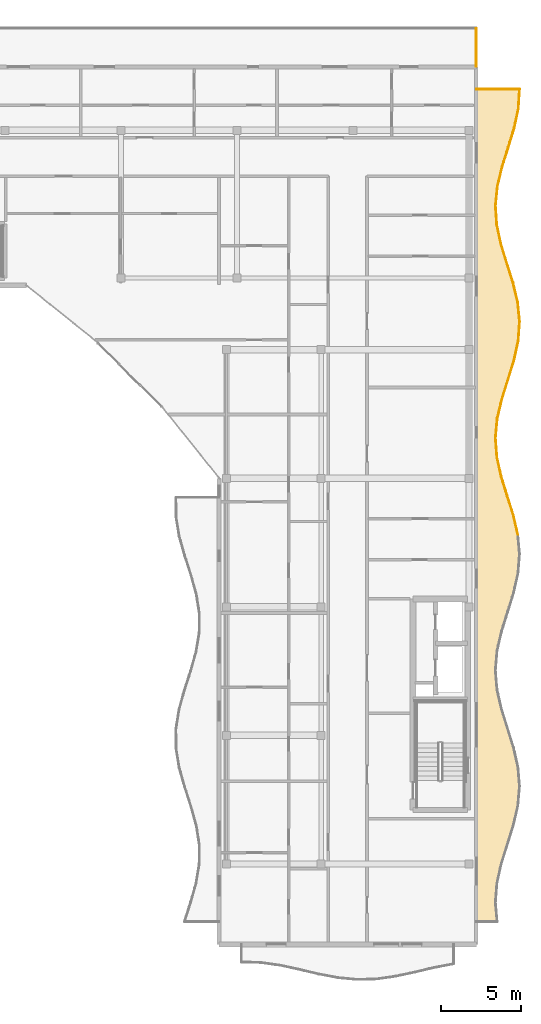
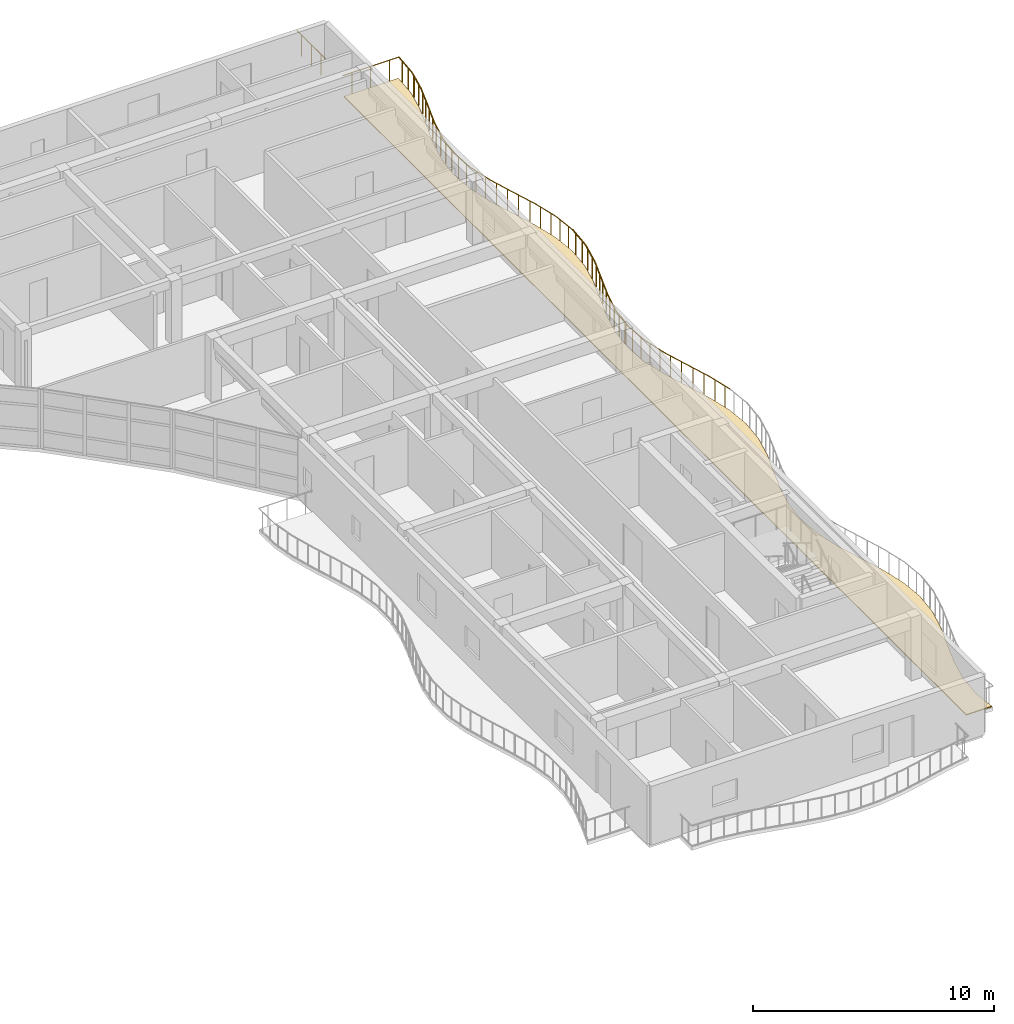
# One storey, part 39 of 39: 25 railings, 1 covering.
"""IFC4 building model written with IfcOpenShell, lengths in metres."""

from ifc_helpers import new_model, si_unit, direction, frame, origin, origin_2d, place, context, subcontext, project, spatial, polyline, circle, outline, extrude, material, layer, layer_set, type_object, element, save


model = new_model("IFC4")

# Units and contexts
model_context = context("Model", 3, precision=1e-05, world=origin(), true_north=direction((0.0, 1.0)))
body_context = subcontext(model_context, "Body", "Model", "MODEL_VIEW")
ifc_project = project(units=[si_unit("LENGTHUNIT", "METRE"), si_unit("AREAUNIT", "SQUARE_METRE"), si_unit("VOLUMEUNIT", "CUBIC_METRE"), si_unit("PLANEANGLEUNIT", "RADIAN"), si_unit("MASSUNIT", "GRAM", prefix="KILO")], contexts=[model_context])

# Site, building, storey
site_placement = place(None, origin())
site = spatial("IfcSite", under=ifc_project, at=site_placement, CompositionType="ELEMENT")
building_placement = place(site_placement, origin())
building = spatial("IfcBuilding", under=site, at=building_placement, Name="Keldmere Railside Commons", CompositionType="ELEMENT")
storey_placement = place(building_placement, frame((0.0, 0.0, 32.9599609375)))
storey = spatial("IfcBuildingStorey", under=building, at=storey_placement, Name="L10", CompositionType="ELEMENT", Elevation=32.9599609375)

# Railings
ifc_material_1 = material(Name="Steel F-24 (S235)", Category="steel")
railing_type = type_object("IfcRailingType", Name="Balcony & Terrace Steel Balustrade 1100", PredefinedType="BALUSTRADE", material=ifc_material_1)
railing_1_placement = place(storey_placement, frame((186.59228515625, 84.492919921875, 0.0)))
element("IfcRailing", 1, at=railing_1_placement, inside=storey, type_object=railing_type, Name="GR-1 GRD-L10-4383", PredefinedType="BALUSTRADE", context=body_context, shape_type="SweptSolid", body=[
    extrude(circle(Radius=0.02392578125, at=origin_2d()), frame((0.0, 0.0, 1.076171875), z_axis=(-0.226948870402, 0.973906674288, 0.0), x_axis=(-0.973906674288, -0.226948870402, 0.0)), (0.0, 0.0, 1.0), 1.237060546875),
    extrude(circle(Radius=0.02099609375, at=origin_2d()), frame((-0.0703125, 0.30126953125, 0.0)), (0.0, 0.0, 1.0), 1.048095703125),
    extrude(circle(Radius=0.02099609375, at=origin_2d()), frame((-0.21044921875, 0.903564453125, 0.0)), (0.0, 0.0, 1.0), 1.048095703125),
])
railing_2_placement = place(storey_placement, frame((186.3115234375, 85.69775390625, 0.0)))
element("IfcRailing", 2, at=railing_2_placement, inside=storey, type_object=railing_type, Name="GR-1 GRD-L10-4384", PredefinedType="BALUSTRADE", context=body_context, shape_type="SweptSolid", body=[
    extrude(circle(Radius=0.02392578125, at=origin_2d()), frame((0.0, 0.0, 1.076171875), z_axis=(-0.299705924747, 0.954031634, 0.0), x_axis=(-0.954031634, -0.299705924747, 0.0)), (0.0, 0.0, 1.0), 1.2626953125),
    extrude(circle(Radius=0.02099609375, at=origin_2d()), frame((-0.0947265625, 0.30126953125, 0.0)), (0.0, 0.0, 1.0), 1.048095703125),
    extrude(circle(Radius=0.02099609375, at=origin_2d()), frame((-0.28369140625, 0.9033203125, 0.0)), (0.0, 0.0, 1.0), 1.048095703125),
])
railing_3_placement = place(storey_placement, frame((185.93310546875, 86.90234375, 0.0)))
element("IfcRailing", 3, at=railing_3_placement, inside=storey, type_object=railing_type, Name="GR-1 GRD-L10-4385", PredefinedType="BALUSTRADE", context=body_context, shape_type="SweptSolid", body=[
    extrude(circle(Radius=0.02392578125, at=origin_2d()), frame((0.0, 0.0, 1.076171875), z_axis=(-0.296533150092, 0.955022560412, 0.0), x_axis=(-0.955022560412, -0.296533150092, 0.0)), (0.0, 0.0, 1.0), 1.26123046875),
    extrude(circle(Radius=0.02099609375, at=origin_2d()), frame((-0.093505859375, 0.30126953125, 0.0)), (0.0, 0.0, 1.0), 1.048095703125),
    extrude(circle(Radius=0.02099609375, at=origin_2d()), frame((-0.280517578125, 0.9033203125, 0.0)), (0.0, 0.0, 1.0), 1.048095703125),
])
railing_4_placement = place(storey_placement, frame((185.55908203125, 88.10693359375, 0.0)))
element("IfcRailing", 4, at=railing_4_placement, inside=storey, type_object=railing_type, Name="GR-1 GRD-L10-4386", PredefinedType="BALUSTRADE", context=body_context, shape_type="SweptSolid", body=[
    extrude(circle(Radius=0.02392578125, at=origin_2d()), frame((0.0, 0.0, 1.076171875), z_axis=(-0.217412199053, 0.976079881825, 0.0), x_axis=(-0.976079881825, -0.217412199053, 0.0)), (0.0, 0.0, 1.0), 1.234130859375),
    extrude(circle(Radius=0.02099609375, at=origin_2d()), frame((-0.067138671875, 0.30126953125, 0.0)), (0.0, 0.0, 1.0), 1.048095703125),
    extrude(circle(Radius=0.02099609375, at=origin_2d()), frame((-0.201171875, 0.9033203125, 0.0)), (0.0, 0.0, 1.0), 1.048095703125),
])
railing_5_placement = place(storey_placement, frame((185.290771484375, 89.3115234375, 0.0)))
element("IfcRailing", 5, at=railing_5_placement, inside=storey, type_object=railing_type, Name="GR-1 GRD-L10-4387", PredefinedType="BALUSTRADE", context=body_context, shape_type="SweptSolid", body=[
    extrude(circle(Radius=0.02392578125, at=origin_2d()), frame((0.0, 0.0, 1.076171875), z_axis=(-0.074965764156, 0.997186108108, 0.0), x_axis=(-0.997186108108, -0.074965764156, 0.0)), (0.0, 0.0, 1.0), 1.208251953125),
    extrude(circle(Radius=0.02099609375, at=origin_2d()), frame((-0.022705078125, 0.30126953125, 0.0)), (0.0, 0.0, 1.0), 1.048095703125),
    extrude(circle(Radius=0.02099609375, at=origin_2d()), frame((-0.06787109375, 0.903564453125, 0.0)), (0.0, 0.0, 1.0), 1.048095703125),
])
railing_6_placement = place(storey_placement, frame((185.2001953125, 90.516357421875, 0.0)))
element("IfcRailing", 6, at=railing_6_placement, inside=storey, type_object=railing_type, Name="GR-1 GRD-L10-4388", PredefinedType="BALUSTRADE", context=body_context, shape_type="SweptSolid", body=[
    extrude(circle(Radius=0.02392578125, at=origin_2d()), frame((0.0, 0.0, 1.076171875), z_axis=(0.092628021781, 0.995700783158, 0.0), x_axis=(-0.995700783158, 0.092628021781, 0.0)), (0.0, 0.0, 1.0), 1.209716796875),
    extrude(circle(Radius=0.02099609375, at=origin_2d()), frame((0.028076171875, 0.30126953125, 0.0)), (0.0, 0.0, 1.0), 1.048095703125),
    extrude(circle(Radius=0.02099609375, at=origin_2d()), frame((0.083984375, 0.9033203125, 0.0)), (0.0, 0.0, 1.0), 1.048095703125),
])
railing_7_placement = place(storey_placement, frame((185.312255859375, 91.720947265625, 0.0)))
element("IfcRailing", 7, at=railing_7_placement, inside=storey, type_object=railing_type, Name="GR-1 GRD-L10-4389", PredefinedType="BALUSTRADE", context=body_context, shape_type="SweptSolid", body=[
    extrude(circle(Radius=0.02392578125, at=origin_2d()), frame((0.0, 0.0, 1.076171875), z_axis=(0.229611025803, 0.973282475353, 0.0), x_axis=(-0.973282475353, 0.229611025803, 0.0)), (0.0, 0.0, 1.0), 1.237548828125),
    extrude(circle(Radius=0.02099609375, at=origin_2d()), frame((0.071044921875, 0.30126953125, 0.0)), (0.0, 0.0, 1.0), 1.048095703125),
    extrude(circle(Radius=0.02099609375, at=origin_2d()), frame((0.213134765625, 0.9033203125, 0.0)), (0.0, 0.0, 1.0), 1.048095703125),
])
railing_8_placement = place(storey_placement, frame((185.596435546875, 92.925537109375, 0.0)))
element("IfcRailing", 8, at=railing_8_placement, inside=storey, type_object=railing_type, Name="GR-1 GRD-L10-4390", PredefinedType="BALUSTRADE", context=body_context, shape_type="SweptSolid", body=[
    extrude(circle(Radius=0.02392578125, at=origin_2d()), frame((0.0, 0.0, 1.076171875), z_axis=(0.300585494477, 0.953754874436, 0.0), x_axis=(-0.953754874436, 0.300585494477, 0.0)), (0.0, 0.0, 1.0), 1.262939453125),
    extrude(circle(Radius=0.02099609375, at=origin_2d()), frame((0.094970703125, 0.30126953125, 0.0)), (0.0, 0.0, 1.0), 1.048095703125),
    extrude(circle(Radius=0.02099609375, at=origin_2d()), frame((0.28466796875, 0.9033203125, 0.0)), (0.0, 0.0, 1.0), 1.048095703125),
])
railing_9_placement = place(storey_placement, frame((185.97607421875, 94.130126953125, 0.0)))
element("IfcRailing", 9, at=railing_9_placement, inside=storey, type_object=railing_type, Name="GR-1 GRD-L10-4391", PredefinedType="BALUSTRADE", context=body_context, shape_type="SweptSolid", body=[
    extrude(circle(Radius=0.02392578125, at=origin_2d()), frame((0.0, 0.0, 1.076171875), z_axis=(0.295418719386, 0.955367876913, 0.0), x_axis=(-0.955367876913, 0.295418719386, 0.0)), (0.0, 0.0, 1.0), 1.26123046875),
    extrude(circle(Radius=0.02099609375, at=origin_2d()), frame((0.09326171875, 0.30126953125, 0.0)), (0.0, 0.0, 1.0), 1.048095703125),
    extrude(circle(Radius=0.02099609375, at=origin_2d()), frame((0.279296875, 0.903564453125, 0.0)), (0.0, 0.0, 1.0), 1.048095703125),
])
railing_10_placement = place(storey_placement, frame((186.3486328125, 95.3349609375, 0.0)))
element("IfcRailing", 10, at=railing_10_placement, inside=storey, type_object=railing_type, Name="GR-1 GRD-L10-4392", PredefinedType="BALUSTRADE", context=body_context, shape_type="SweptSolid", body=[
    extrude(circle(Radius=0.02392578125, at=origin_2d()), frame((0.0, 0.0, 1.076171875), z_axis=(0.214771154159, 0.97666440057, 0.0), x_axis=(-0.97666440057, 0.214771154159, 0.0)), (0.0, 0.0, 1.0), 1.2333984375),
    extrude(circle(Radius=0.02099609375, at=origin_2d()), frame((0.066162109375, 0.30126953125, 0.0)), (0.0, 0.0, 1.0), 1.048095703125),
    extrude(circle(Radius=0.02099609375, at=origin_2d()), frame((0.19873046875, 0.9033203125, 0.0)), (0.0, 0.0, 1.0), 1.048095703125),
])
railing_11_placement = place(storey_placement, frame((186.613525390625, 96.53955078125, 0.0)))
element("IfcRailing", 11, at=railing_11_placement, inside=storey, type_object=railing_type, Name="GR-1 GRD-L10-4393", PredefinedType="BALUSTRADE", context=body_context, shape_type="SweptSolid", body=[
    extrude(circle(Radius=0.02392578125, at=origin_2d()), frame((0.0, 0.0, 1.076171875), z_axis=(0.071160848878, 0.997464853309, 0.0), x_axis=(-0.997464853309, 0.071160848878, 0.0)), (0.0, 0.0, 1.0), 1.207763671875),
    extrude(circle(Radius=0.02099609375, at=origin_2d()), frame((0.021484375, 0.30126953125, 0.0)), (0.0, 0.0, 1.0), 1.048095703125),
    extrude(circle(Radius=0.02099609375, at=origin_2d()), frame((0.064453125, 0.9033203125, 0.0)), (0.0, 0.0, 1.0), 1.048095703125),
])
railing_12_placement = place(storey_placement, frame((186.699462890625, 97.744140625, 0.0)))
element("IfcRailing", 12, at=railing_12_placement, inside=storey, type_object=railing_type, Name="GR-1 GRD-L10-4394", PredefinedType="BALUSTRADE", context=body_context, shape_type="SweptSolid", body=[
    extrude(circle(Radius=0.02392578125, at=origin_2d()), frame((0.0, 0.0, 1.076171875), z_axis=(-0.096427347439, 0.995340025653, 0.0), x_axis=(-0.995340025653, -0.096427347439, 0.0)), (0.0, 0.0, 1.0), 1.210205078125),
    extrude(circle(Radius=0.02099609375, at=origin_2d()), frame((-0.029296875, 0.30126953125, 0.0)), (0.0, 0.0, 1.0), 1.048095703125),
    extrude(circle(Radius=0.02099609375, at=origin_2d()), frame((-0.08740234375, 0.9033203125, 0.0)), (0.0, 0.0, 1.0), 1.048095703125),
])
railing_13_placement = place(storey_placement, frame((186.582763671875, 98.94873046875, 0.0)))
element("IfcRailing", 13, at=railing_13_placement, inside=storey, type_object=railing_type, Name="GR-1 GRD-L10-4395", PredefinedType="BALUSTRADE", context=body_context, shape_type="SweptSolid", body=[
    extrude(circle(Radius=0.02392578125, at=origin_2d()), frame((0.0, 0.0, 1.076171875), z_axis=(-0.231993573258, 0.972717318632, 0.0), x_axis=(-0.972717318632, -0.231993573258, 0.0)), (0.0, 0.0, 1.0), 1.238525390625),
    extrude(circle(Radius=0.02099609375, at=origin_2d()), frame((-0.07177734375, 0.30126953125, 0.0)), (0.0, 0.0, 1.0), 1.048095703125),
    extrude(circle(Radius=0.02099609375, at=origin_2d()), frame((-0.215576171875, 0.903564453125, 0.0)), (0.0, 0.0, 1.0), 1.048095703125),
])
railing_14_placement = place(storey_placement, frame((186.29541015625, 100.153564453125, 0.0)))
element("IfcRailing", 14, at=railing_14_placement, inside=storey, type_object=railing_type, Name="GR-1 GRD-L10-4396", PredefinedType="BALUSTRADE", context=body_context, shape_type="SweptSolid", body=[
    extrude(circle(Radius=0.02392578125, at=origin_2d()), frame((0.0, 0.0, 1.076171875), z_axis=(-0.301288598616, 0.953532999085, 0.0), x_axis=(-0.953532999085, -0.301288598616, 0.0)), (0.0, 0.0, 1.0), 1.26318359375),
    extrude(circle(Radius=0.02099609375, at=origin_2d()), frame((-0.09521484375, 0.30126953125, 0.0)), (0.0, 0.0, 1.0), 1.048095703125),
    extrude(circle(Radius=0.02099609375, at=origin_2d()), frame((-0.285400390625, 0.9033203125, 0.0)), (0.0, 0.0, 1.0), 1.048095703125),
])
railing_15_placement = place(storey_placement, frame((185.914794921875, 101.358154296875, 0.0)))
element("IfcRailing", 15, at=railing_15_placement, inside=storey, type_object=railing_type, Name="GR-1 GRD-L10-4397", PredefinedType="BALUSTRADE", context=body_context, shape_type="SweptSolid", body=[
    extrude(circle(Radius=0.02392578125, at=origin_2d()), frame((0.0, 0.0, 1.076171875), z_axis=(-0.294412491325, 0.955678442235, 0.0), x_axis=(-0.955678442235, -0.294412491325, 0.0)), (0.0, 0.0, 1.0), 1.260498046875),
    extrude(circle(Radius=0.02099609375, at=origin_2d()), frame((-0.0927734375, 0.30126953125, 0.0)), (0.0, 0.0, 1.0), 1.048095703125),
    extrude(circle(Radius=0.02099609375, at=origin_2d()), frame((-0.2783203125, 0.9033203125, 0.0)), (0.0, 0.0, 1.0), 1.048095703125),
])
railing_16_placement = place(storey_placement, frame((185.543701171875, 102.562744140625, 0.0)))
element("IfcRailing", 16, at=railing_16_placement, inside=storey, type_object=railing_type, Name="GR-1 GRD-L10-4398", PredefinedType="BALUSTRADE", context=body_context, shape_type="SweptSolid", body=[
    extrude(circle(Radius=0.02392578125, at=origin_2d()), frame((0.0, 0.0, 1.076171875), z_axis=(-0.212125389366, 0.977242456705, 0.0), x_axis=(-0.977242456705, -0.212125389366, 0.0)), (0.0, 0.0, 1.0), 1.232666015625),
    extrude(circle(Radius=0.02099609375, at=origin_2d()), frame((-0.0654296875, 0.30126953125, 0.0)), (0.0, 0.0, 1.0), 1.048095703125),
    extrude(circle(Radius=0.02099609375, at=origin_2d()), frame((-0.196044921875, 0.9033203125, 0.0)), (0.0, 0.0, 1.0), 1.048095703125),
])
railing_17_placement = place(storey_placement, frame((185.2822265625, 103.767333984375, 0.0)))
element("IfcRailing", 17, at=railing_17_placement, inside=storey, type_object=railing_type, Name="GR-1 GRD-L10-4399", PredefinedType="BALUSTRADE", context=body_context, shape_type="SweptSolid", body=[
    extrude(circle(Radius=0.02392578125, at=origin_2d()), frame((0.0, 0.0, 1.076171875), z_axis=(-0.067122846317, 0.997744718604, 0.0), x_axis=(-0.997744718604, -0.067122846317, 0.0)), (0.0, 0.0, 1.0), 1.20751953125),
    extrude(circle(Radius=0.02099609375, at=origin_2d()), frame((-0.020263671875, 0.30126953125, 0.0)), (0.0, 0.0, 1.0), 1.048095703125),
    extrude(circle(Radius=0.02099609375, at=origin_2d()), frame((-0.060791015625, 0.903564453125, 0.0)), (0.0, 0.0, 1.0), 1.048095703125),
])
railing_18_placement = place(storey_placement, frame((185.201171875, 104.97216796875, 0.0)))
element("IfcRailing", 18, at=railing_18_placement, inside=storey, type_object=railing_type, Name="GR-1 GRD-L10-4400", PredefinedType="BALUSTRADE", context=body_context, shape_type="SweptSolid", body=[
    extrude(circle(Radius=0.02392578125, at=origin_2d()), frame((0.0, 0.0, 1.076171875), z_axis=(0.099823180015, 0.995005192314, 0.0), x_axis=(-0.995005192314, 0.099823180015, 0.0)), (0.0, 0.0, 1.0), 1.210693359375),
    extrude(circle(Radius=0.02099609375, at=origin_2d()), frame((0.0302734375, 0.30126953125, 0.0)), (0.0, 0.0, 1.0), 1.048095703125),
    extrude(circle(Radius=0.02099609375, at=origin_2d()), frame((0.090576171875, 0.9033203125, 0.0)), (0.0, 0.0, 1.0), 1.048095703125),
])
railing_19_placement = place(storey_placement, frame((185.322021484375, 106.1767578125, 0.0)))
element("IfcRailing", 19, at=railing_19_placement, inside=storey, type_object=railing_type, Name="GR-1 GRD-L10-4401", PredefinedType="BALUSTRADE", context=body_context, shape_type="SweptSolid", body=[
    extrude(circle(Radius=0.02392578125, at=origin_2d()), frame((0.0, 0.0, 1.076171875), z_axis=(0.234646952746, 0.972080658982, 0.0), x_axis=(-0.972080658982, 0.234646952746, 0.0)), (0.0, 0.0, 1.0), 1.2392578125),
    extrude(circle(Radius=0.02099609375, at=origin_2d()), frame((0.07275390625, 0.30126953125, 0.0)), (0.0, 0.0, 1.0), 1.048095703125),
    extrude(circle(Radius=0.02099609375, at=origin_2d()), frame((0.218017578125, 0.9033203125, 0.0)), (0.0, 0.0, 1.0), 1.048095703125),
])
railing_20_placement = place(storey_placement, frame((185.61279296875, 107.38134765625, 0.0)))
element("IfcRailing", 20, at=railing_20_placement, inside=storey, type_object=railing_type, Name="GR-1 GRD-L10-4402", PredefinedType="BALUSTRADE", context=body_context, shape_type="SweptSolid", body=[
    extrude(circle(Radius=0.02392578125, at=origin_2d()), frame((0.0, 0.0, 1.076171875), z_axis=(0.301991211658, 0.953310709098, 0.0), x_axis=(-0.953310709098, 0.301991211658, 0.0)), (0.0, 0.0, 1.0), 1.263671875),
    extrude(circle(Radius=0.02099609375, at=origin_2d()), frame((0.095458984375, 0.30126953125, 0.0)), (0.0, 0.0, 1.0), 1.048095703125),
    extrude(circle(Radius=0.02099609375, at=origin_2d()), frame((0.2861328125, 0.9033203125, 0.0)), (0.0, 0.0, 1.0), 1.048095703125),
])
railing_21_placement = place(storey_placement, frame((185.994384765625, 108.5859375, 0.0)))
element("IfcRailing", 21, at=railing_21_placement, inside=storey, type_object=railing_type, Name="GR-1 GRD-L10-4403", PredefinedType="BALUSTRADE", context=body_context, shape_type="SweptSolid", body=[
    extrude(circle(Radius=0.02392578125, at=origin_2d()), frame((0.0, 0.0, 1.076171875), z_axis=(0.293296197518, 0.956021621367, 0.0), x_axis=(-0.956021621367, 0.293296197518, 0.0)), (0.0, 0.0, 1.0), 1.26025390625),
    extrude(circle(Radius=0.02099609375, at=origin_2d()), frame((0.09228515625, 0.30126953125, 0.0)), (0.0, 0.0, 1.0), 1.048095703125),
    extrude(circle(Radius=0.02099609375, at=origin_2d()), frame((0.27734375, 0.903564453125, 0.0)), (0.0, 0.0, 1.0), 1.048095703125),
])
railing_22_placement = place(storey_placement, frame((186.364013671875, 109.790771484375, 0.0)))
element("IfcRailing", 22, at=railing_22_placement, inside=storey, type_object=railing_type, Name="GR-1 GRD-L10-4404", PredefinedType="BALUSTRADE", context=body_context, shape_type="SweptSolid", body=[
    extrude(circle(Radius=0.02392578125, at=origin_2d()), frame((0.0, 0.0, 1.076171875), z_axis=(0.209285457249, 0.97785458908, 0.0), x_axis=(-0.97785458908, 0.209285457249, 0.0)), (0.0, 0.0, 1.0), 1.23193359375),
    extrude(circle(Radius=0.02099609375, at=origin_2d()), frame((0.064453125, 0.30126953125, 0.0)), (0.0, 0.0, 1.0), 1.048095703125),
    extrude(circle(Radius=0.02099609375, at=origin_2d()), frame((0.193359375, 0.9033203125, 0.0)), (0.0, 0.0, 1.0), 1.048095703125),
])
railing_23_placement = place(storey_placement, frame((186.621826171875, 110.995361328125, 0.0)))
element("IfcRailing", 23, at=railing_23_placement, inside=storey, type_object=railing_type, Name="GR-1 GRD-L10-4405", PredefinedType="BALUSTRADE", context=body_context, shape_type="SweptSolid", body=[
    extrude(circle(Radius=0.02392578125, at=origin_2d()), frame((0.0, 0.0, 1.076171875), z_axis=(0.063511565909, 0.997981102524, 0.0), x_axis=(-0.997981102524, 0.063511565909, 0.0)), (0.0, 0.0, 1.0), 1.20703125),
    extrude(circle(Radius=0.02099609375, at=origin_2d()), frame((0.01904296875, 0.30126953125, 0.0)), (0.0, 0.0, 1.0), 1.048095703125),
    extrude(circle(Radius=0.02099609375, at=origin_2d()), frame((0.0576171875, 0.9033203125, 0.0)), (0.0, 0.0, 1.0), 1.048095703125),
])
railing_24_placement = place(storey_placement, frame((186.698486328125, 112.199951171875, 0.0)))
element("IfcRailing", 24, at=railing_24_placement, inside=storey, type_object=railing_type, Name="GR-1 GRD-L10-4406", PredefinedType="BALUSTRADE", context=body_context, shape_type="SweptSolid", body=[
    extrude(circle(Radius=0.02392578125, at=origin_2d()), frame((0.0, 0.0, 1.076171875), z_axis=(-1.0, 0.0, 0.0), x_axis=(0.0, -1.0, 0.0)), (0.0, 0.0, 1.0), 2.698486328125),
    extrude(circle(Radius=0.02099609375, at=origin_2d()), frame((-0.44970703125, 0.0, 0.0)), (0.0, 0.0, 1.0), 1.048095703125),
    extrude(circle(Radius=0.02099609375, at=origin_2d()), frame((-1.34912109375, 0.0, 0.0)), (0.0, 0.0, 1.0), 1.048095703125),
    extrude(circle(Radius=0.02099609375, at=origin_2d()), frame((-2.248779296875, 0.0, 0.0)), (0.0, 0.0, 1.0), 1.048095703125),
])
railing_25_placement = place(storey_placement, frame((184.0, 116.0, 0.0)))
element("IfcRailing", 25, at=railing_25_placement, inside=storey, type_object=railing_type, Name="GR-1 GRD-L10-4433", PredefinedType="BALUSTRADE", context=body_context, shape_type="SweptSolid", body=[
    extrude(circle(Radius=0.02392578125, at=origin_2d()), frame((0.0, 0.0, 1.076171875), z_axis=(0.0, -1.0, 0.0), x_axis=(1.0, 0.0, 0.0)), (0.0, 0.0, 1.0), 2.39990234375),
    extrude(circle(Radius=0.02099609375, at=origin_2d()), frame((0.0, -0.39990234375, 0.0)), (0.0, 0.0, 1.0), 1.048095703125),
    extrude(circle(Radius=0.02099609375, at=origin_2d()), frame((0.0, -1.199951171875, 0.0)), (0.0, 0.0, 1.0), 1.048095703125),
    extrude(circle(Radius=0.02099609375, at=origin_2d()), frame((0.0, -2.0, 0.0)), (0.0, 0.0, 1.0), 1.048095703125),
])

# Covering
ifc_material_2 = material(Name="White Precast Concrete C35/45", Category="concrete")
ifc_layer = layer(ifc_material_2, 0.044921875, Name="White Architectural Balcony Ribbon Cladding 45")
ifc_layer_set = layer_set([ifc_layer], Name="White Precast Concrete C35/45")
covering_type = type_object("IfcCoveringType", Name="White Architectural Balcony Ribbon Cladding 45", PredefinedType="FLOORING", material=ifc_layer_set)
covering_placement = place(storey_placement, origin())
element("IfcCovering", 26, at=covering_placement, inside=storey, type_object=covering_type, Name="CLG-WB A L10 CE White Balcony Ribbon", PredefinedType="FLOORING", context=body_context, shape_type="SweptSolid", body=[
    extrude(outline(polyline([(185.160400390625, 61.60107421875), (185.16015625, 61.6044921875), (185.16015625, 61.60791015625), (185.25390625, 62.8125), (185.2548828125, 62.818115234375), (185.525634765625, 64.022705078125), (185.526611328125, 64.02587890625), (185.9013671875, 65.23046875), (185.9013671875, 65.230712890625), (186.27880859375, 66.433837890625), (186.55615234375, 67.63427734375), (186.659912109375, 68.832763671875), (186.56201171875, 70.031005859375), (186.288818359375, 71.2314453125), (185.9130859375, 72.4345703125), (185.53662109375, 73.639404296875), (185.535888671875, 73.642333984375), (185.260498046875, 74.846923828125), (185.259765625, 74.8525390625), (185.16015625, 76.05712890625), (185.159912109375, 76.060546875), (185.16015625, 76.06396484375), (185.262939453125, 77.2685546875), (185.263916015625, 77.274169921875), (185.54150390625, 78.478759765625), (185.542236328125, 78.481689453125), (185.919677734375, 79.686279296875), (186.29443359375, 80.889404296875), (186.565185546875, 82.089599609375), (186.659912109375, 83.2880859375), (186.552734375, 84.486572265625), (186.27294921875, 85.68701171875), (185.894775390625, 86.890380859375), (185.894775390625, 86.890380859375), (185.52099609375, 88.09521484375), (185.52001953125, 88.098388671875), (185.251708984375, 89.302978515625), (185.250732421875, 89.30859375), (185.160400390625, 90.51318359375), (185.160400390625, 90.5166015625), (185.160400390625, 90.52001953125), (185.2724609375, 91.724609375), (185.2734375, 91.72998046875), (185.5576171875, 92.934814453125), (185.558349609375, 92.9375), (185.93798828125, 94.14208984375), (186.31005859375, 95.34521484375), (186.573974609375, 96.545166015625), (186.6591796875, 97.74365234375), (186.543212890625, 98.942138671875), (186.2568359375, 100.142822265625), (185.876708984375, 101.345947265625), (185.876708984375, 101.34619140625), (185.50537109375, 102.551025390625), (185.50439453125, 102.55419921875), (185.2431640625, 103.7587890625), (185.2421875, 103.7646484375), (185.1611328125, 104.969482421875), (185.1611328125, 104.972900390625), (185.161376953125, 104.97607421875), (185.2822265625, 106.1806640625), (185.283203125, 106.18603515625), (185.57373046875, 107.390869140625), (185.57470703125, 107.3935546875), (185.956298828125, 108.597900390625), (186.3251953125, 109.80078125), (186.582275390625, 111.000732421875), (186.65576171875, 112.159912109375), (184.0400390625, 112.159912109375), (184.0400390625, 60.43994140625), (185.26513671875, 60.43994140625), (185.160400390625, 61.60107421875)])), origin(), (0.0, 0.0, 1.0), 0.044921875),
])

save(model, "model.ifc")
